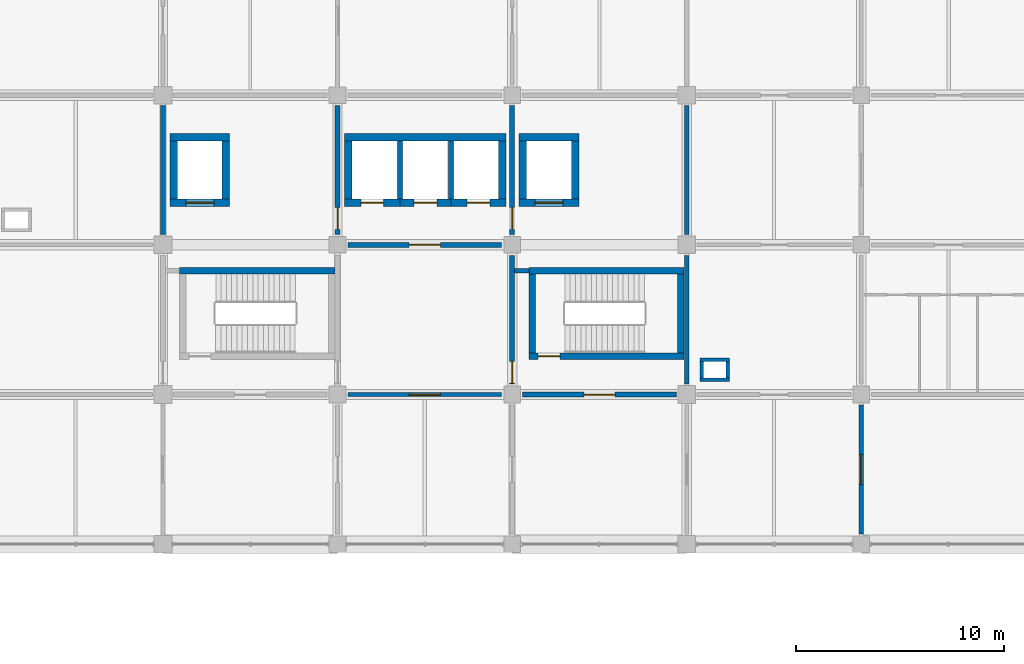
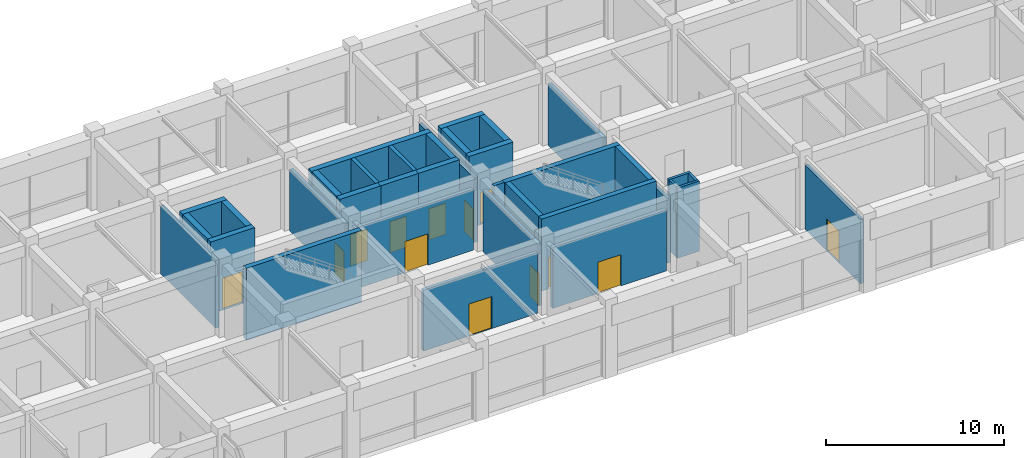
# One storey, part 27 of 38: 36 walls, 13 doors, 13 openings.
"""IFC4 building model written with IfcOpenShell, lengths in metres."""

from ifc_helpers import new_model, si_unit, derived_unit, direction, frame, frame_2d, origin, place, context, subcontext, project, spatial, rectangle, extrude, material, layer, layer_set, type_object, element, fill, save


model = new_model("IFC4")

# Units and contexts
model_context = context("Model", 3, precision=1e-05, world=origin(), true_north=direction((0.0, 1.0)))
body_context = subcontext(model_context, "Body", "Model", "MODEL_VIEW")
ifc_project = project(units=[si_unit("LENGTHUNIT", "METRE"), si_unit("AREAUNIT", "SQUARE_METRE"), si_unit("VOLUMEUNIT", "CUBIC_METRE"), si_unit("PLANEANGLEUNIT", "RADIAN"), si_unit("MASSUNIT", "GRAM", prefix="KILO"), derived_unit("THERMALTRANSMITTANCEUNIT", [(si_unit("MASSUNIT", "GRAM", prefix="KILO"), 1), (si_unit("TIMEUNIT", "SECOND"), -3), (si_unit("THERMODYNAMICTEMPERATUREUNIT", "KELVIN"), -1)])], contexts=[model_context])

# Site, building, storey
site_placement = place(None, origin())
site = spatial("IfcSite", under=ifc_project, at=site_placement, CompositionType="ELEMENT")
building_placement = place(site_placement, origin())
building = spatial("IfcBuilding", under=site, at=building_placement, Name="Veldstrom Oceanarium and Marine Research Institute", CompositionType="ELEMENT")
storey_placement = place(building_placement, frame((0.0, 0.0, 16.800048828125)))
storey = spatial("IfcBuildingStorey", under=building, at=storey_placement, Name="L03", CompositionType="ELEMENT", Elevation=16.800048828125)

# Wall
ifc_material_1 = material(Name="Masonry Fire Compartment Wall", Category="masonry")
ifc_layer_1 = layer(ifc_material_1, 0.22998046875)
ifc_layer_set_1 = layer_set([ifc_layer_1], Name="ARC-WAL-PT1")
wall_type_1 = type_object("IfcWallType", Name="ARC-WAL-PT1", PredefinedType="PARTITIONING", material=ifc_layer_set_1)
wall_1_placement = place(storey_placement, frame((75.60009765625, 58.10009765625, 0.0), z_axis=(0.0, 0.0, 1.0), x_axis=(0.0, 1.0, 0.0)))
element("IfcWall", 1, at=wall_1_placement, inside=storey, type_object=wall_type_1, Name="Interior Partition PT1 L03-1328", PredefinedType="PARTITIONING", context=body_context, shape_type="SweptSolid", body=[
    extrude(rectangle(XDim=6.199951171875, YDim=0.22998046875, at=frame_2d((3.10009765625, 0.0))), origin(), (0.0, 0.0, 1.0), 4.655029296875),
])

# Wall, opening, door
wall_2_placement = place(storey_placement, frame((84.0, 58.10009765625, 0.0), z_axis=(0.0, 0.0, 1.0), x_axis=(0.0, 1.0, 0.0)))
wall_2 = element("IfcWall", 2, at=wall_2_placement, inside=storey, type_object=wall_type_1, Name="Interior Partition PT1 L03-1335", PredefinedType="PARTITIONING", context=body_context, shape_type="SweptSolid", body=[
    extrude(rectangle(XDim=6.199951171875, YDim=0.22998046875, at=frame_2d((3.10009765625, 0.0))), origin(), (0.0, 0.0, 1.0), 4.244873046875),
])
opening_1_placement = place(wall_2_placement, frame((0.25, 0.0, 0.0)))
opening_1 = element("IfcOpeningElement", 3, at=opening_1_placement, cuts=wall_2, Name="Opening D-L03-787", PredefinedType="OPENING", context=body_context, shape_type="SweptSolid", body=[
    extrude(rectangle(XDim=1.050048828125, YDim=2.14990234375, at=frame_2d((0.52490234375, 1.074951171875))), frame((0.0, 0.125, 0.0), z_axis=(0.0, -1.0, 0.0), x_axis=(1.0, 0.0, 0.0)), (0.0, 0.0, 1.0), 0.25),
])
ifc_material_2 = material(Name="Painted Steel Fire Door", Category="steel")
door_type_1 = type_object("IfcDoorType", Name="ARC-DOR-SD1", OperationType="SINGLE_SWING_LEFT", PredefinedType="DOOR", material=ifc_material_2)
door_1_placement = place(opening_1_placement, frame((1.050048828125, 0.0, 0.0), z_axis=(0.0, 0.0, 1.0), x_axis=(-1.0, 0.0, 0.0)))
door_1 = element("IfcDoor", 4, at=door_1_placement, inside=storey, type_object=door_type_1, Name="Interior Door D-L03-787", OperationType="SINGLE_SWING_RIGHT", OverallHeight=2.14990234375, OverallWidth=1.050048828125, PredefinedType="DOOR", context=body_context, shape_type="SweptSolid", body=[
    extrude(rectangle(XDim=1.050048828125, YDim=2.14990234375, at=frame_2d((0.52490234375, 1.074951171875))), frame((0.0, 0.02490234375, 0.0), z_axis=(0.0, -1.0, 0.0), x_axis=(1.0, 0.0, 0.0)), (0.0, 0.0, 1.0), 0.050048828125),
])
fill(opening_1, door_1)

wall_3_placement = place(storey_placement, frame((92.39990234375, 50.89990234375, 0.0), z_axis=(0.0, 0.0, 1.0), x_axis=(0.0, 1.0, 0.0)))
wall_3 = element("IfcWall", 5, at=wall_3_placement, inside=storey, type_object=wall_type_1, Name="Interior Partition PT1 L03-1340", PredefinedType="PARTITIONING", context=body_context, shape_type="SweptSolid", body=[
    extrude(rectangle(XDim=6.2001953125, YDim=0.22998046875, at=frame_2d((3.10009765625, 0.0))), origin(), (0.0, 0.0, 1.0), 4.244873046875),
])
opening_2_placement = place(wall_3_placement, frame((0.050048828125, 0.0, 0.0)))
opening_2 = element("IfcOpeningElement", 6, at=opening_2_placement, cuts=wall_3, Name="Opening D-L03-791", PredefinedType="OPENING", context=body_context, shape_type="SweptSolid", body=[
    extrude(rectangle(XDim=1.050048828125, YDim=2.14990234375, at=frame_2d((0.52490234375, 1.074951171875))), frame((0.0, 0.125, 0.0), z_axis=(0.0, -1.0, 0.0), x_axis=(1.0, 0.0, 0.0)), (0.0, 0.0, 1.0), 0.25),
])
door_2_placement = place(opening_2_placement, frame((1.050048828125, 0.0, 0.0), z_axis=(0.0, 0.0, 1.0), x_axis=(-1.0, 0.0, 0.0)))
door_2 = element("IfcDoor", 7, at=door_2_placement, inside=storey, type_object=door_type_1, Name="Interior Door D-L03-791", OperationType="SINGLE_SWING_RIGHT", OverallHeight=2.14990234375, OverallWidth=1.050048828125, PredefinedType="DOOR", context=body_context, shape_type="SweptSolid", body=[
    extrude(rectangle(XDim=1.050048828125, YDim=2.14990234375, at=frame_2d((0.52490234375, 1.074951171875))), frame((0.0, 0.02490234375, 0.0), z_axis=(0.0, -1.0, 0.0), x_axis=(1.0, 0.0, 0.0)), (0.0, 0.0, 1.0), 0.050048828125),
])
fill(opening_2, door_2)

wall_4_placement = place(storey_placement, frame((84.5, 57.60009765625, 0.0), z_axis=(0.0, 0.0, 1.0), x_axis=(1.0, 0.0, 0.0)))
wall_4 = element("IfcWall", 8, at=wall_4_placement, inside=storey, type_object=wall_type_1, Name="Interior Partition PT1 L03-1341", PredefinedType="PARTITIONING", context=body_context, shape_type="SweptSolid", body=[
    extrude(rectangle(XDim=7.39990234375, YDim=0.22998046875, at=frame_2d((3.699951171875, 0.0))), origin(), (0.0, 0.0, 1.0), 4.195068359375),
])
opening_3_placement = place(wall_4_placement, frame((2.949951171875, 0.0, 0.0)))
opening_3 = element("IfcOpeningElement", 9, at=opening_3_placement, cuts=wall_4, Name="Opening D-L03-792", PredefinedType="OPENING", context=body_context, shape_type="SweptSolid", body=[
    extrude(rectangle(XDim=1.5, YDim=2.14990234375, at=frame_2d((0.75, 1.074951171875))), frame((0.0, 0.125, 0.0), z_axis=(0.0, -1.0, 0.0), x_axis=(1.0, 0.0, 0.0)), (0.0, 0.0, 1.0), 0.25),
])
ifc_material_3 = material(Name="Painted Steel Lobby Fire Door", Category="steel")
door_type_2 = type_object("IfcDoorType", Name="ARC-DOR-SD2", OperationType="DOUBLE_DOOR_SINGLE_SWING", PredefinedType="DOOR", material=ifc_material_3)
door_3_placement = place(opening_3_placement, origin())
door_3 = element("IfcDoor", 10, at=door_3_placement, inside=storey, type_object=door_type_2, Name="Interior Door D-L03-792", OperationType="DOUBLE_DOOR_SINGLE_SWING", OverallHeight=2.14990234375, OverallWidth=1.5, PredefinedType="DOOR", context=body_context, shape_type="SweptSolid", body=[
    extrude(rectangle(XDim=1.5, YDim=2.14990234375, at=frame_2d((0.75, 1.074951171875))), frame((0.0, 0.02490234375, 0.0), z_axis=(0.0, -1.0, 0.0), x_axis=(1.0, 0.0, 0.0)), (0.0, 0.0, 1.0), 0.050048828125),
])
fill(opening_3, door_3)

wall_5_placement = place(storey_placement, frame((92.39990234375, 58.10009765625, 0.0), z_axis=(0.0, 0.0, 1.0), x_axis=(0.0, 1.0, 0.0)))
wall_5 = element("IfcWall", 11, at=wall_5_placement, inside=storey, type_object=wall_type_1, Name="Interior Partition PT1 L03-1342", PredefinedType="PARTITIONING", context=body_context, shape_type="SweptSolid", body=[
    extrude(rectangle(XDim=6.199951171875, YDim=0.22998046875, at=frame_2d((3.10009765625, 0.0))), origin(), (0.0, 0.0, 1.0), 4.445068359375),
])
opening_4_placement = place(wall_5_placement, frame((0.25, 0.0, 0.0)))
opening_4 = element("IfcOpeningElement", 12, at=opening_4_placement, cuts=wall_5, Name="Opening D-L03-793", PredefinedType="OPENING", context=body_context, shape_type="SweptSolid", body=[
    extrude(rectangle(XDim=1.050048828125, YDim=2.14990234375, at=frame_2d((0.52490234375, 1.074951171875))), frame((0.0, 0.125, 0.0), z_axis=(0.0, -1.0, 0.0), x_axis=(1.0, 0.0, 0.0)), (0.0, 0.0, 1.0), 0.25),
])
door_4_placement = place(opening_4_placement, origin())
door_4 = element("IfcDoor", 13, at=door_4_placement, inside=storey, type_object=door_type_1, Name="Interior Door D-L03-793", OperationType="SINGLE_SWING_LEFT", OverallHeight=2.14990234375, OverallWidth=1.050048828125, PredefinedType="DOOR", context=body_context, shape_type="SweptSolid", body=[
    extrude(rectangle(XDim=1.050048828125, YDim=2.14990234375, at=frame_2d((0.52490234375, 1.074951171875))), frame((0.0, 0.02490234375, 0.0), z_axis=(0.0, -1.0, 0.0), x_axis=(1.0, 0.0, 0.0)), (0.0, 0.0, 1.0), 0.050048828125),
])
fill(opening_4, door_4)

wall_6_placement = place(storey_placement, frame((92.89990234375, 50.39990234375, 0.0), z_axis=(0.0, 0.0, 1.0), x_axis=(1.0, 0.0, 0.0)))
wall_6 = element("IfcWall", 14, at=wall_6_placement, inside=storey, type_object=wall_type_1, Name="Interior Partition PT1 L03-1346", PredefinedType="PARTITIONING", context=body_context, shape_type="SweptSolid", body=[
    extrude(rectangle(XDim=7.400146484375, YDim=0.22998046875, at=frame_2d((3.7001953125, 0.0))), origin(), (0.0, 0.0, 1.0), 4.195068359375),
])
opening_5_placement = place(wall_6_placement, frame((2.949951171875, 0.0, 0.0)))
opening_5 = element("IfcOpeningElement", 15, at=opening_5_placement, cuts=wall_6, Name="Opening D-L03-796", PredefinedType="OPENING", context=body_context, shape_type="SweptSolid", body=[
    extrude(rectangle(XDim=1.5, YDim=2.14990234375, at=frame_2d((0.75, 1.074951171875))), frame((0.0, 0.125, 0.0), z_axis=(0.0, -1.0, 0.0), x_axis=(1.0, 0.0, 0.0)), (0.0, 0.0, 1.0), 0.25),
])
door_5_placement = place(opening_5_placement, frame((1.5, 0.0, 0.0), z_axis=(0.0, 0.0, 1.0), x_axis=(-1.0, 0.0, 0.0)))
door_5 = element("IfcDoor", 16, at=door_5_placement, inside=storey, type_object=door_type_2, Name="Interior Door D-L03-796", OperationType="DOUBLE_DOOR_SINGLE_SWING", OverallHeight=2.14990234375, OverallWidth=1.5, PredefinedType="DOOR", context=body_context, shape_type="SweptSolid", body=[
    extrude(rectangle(XDim=1.5, YDim=2.14990234375, at=frame_2d((0.75, 1.074951171875))), frame((0.0, 0.02490234375, 0.0), z_axis=(0.0, -1.0, 0.0), x_axis=(1.0, 0.0, 0.0)), (0.0, 0.0, 1.0), 0.050048828125),
])
fill(opening_5, door_5)

# Walls
wall_7_placement = place(storey_placement, frame((100.800048828125, 50.89990234375, 0.0), z_axis=(0.0, 0.0, 1.0), x_axis=(0.0, 1.0, 0.0)))
element("IfcWall", 17, at=wall_7_placement, inside=storey, type_object=wall_type_1, Name="Interior Partition PT1 L03-1347", PredefinedType="PARTITIONING", context=body_context, shape_type="SweptSolid", body=[
    extrude(rectangle(XDim=6.2001953125, YDim=0.22998046875, at=frame_2d((3.10009765625, 0.0))), origin(), (0.0, 0.0, 1.0), 4.445068359375),
])
wall_8_placement = place(storey_placement, frame((92.52001953125, 56.360107421875, 0.0), z_axis=(0.0, 0.0, 1.0), x_axis=(1.0, 0.0, 0.0)))
element("IfcWall", 18, at=wall_8_placement, inside=storey, type_object=wall_type_1, Name="Interior Partition PT1 L03-1348", PredefinedType="PARTITIONING", context=body_context, shape_type="SweptSolid", body=[
    extrude(rectangle(XDim=0.679931640625, YDim=0.22998046875, at=frame_2d((0.33984375, 0.0))), origin(), (0.0, 0.0, 1.0), 4.949951171875),
])
wall_9_placement = place(storey_placement, frame((100.800048828125, 58.10009765625, 0.0), z_axis=(0.0, 0.0, 1.0), x_axis=(0.0, 1.0, 0.0)))
element("IfcWall", 19, at=wall_9_placement, inside=storey, type_object=wall_type_1, Name="Interior Partition PT1 L03-1349", PredefinedType="PARTITIONING", context=body_context, shape_type="SweptSolid", body=[
    extrude(rectangle(XDim=6.199951171875, YDim=0.22998046875, at=frame_2d((3.10009765625, 0.0))), origin(), (0.0, 0.0, 1.0), 4.244873046875),
])

# Wall, opening, door
ifc_material_4 = material(Name="Masonry Acoustic Lab Partition", Category="masonry")
ifc_layer_2 = layer(ifc_material_4, 0.205078125)
ifc_layer_set_2 = layer_set([ifc_layer_2], Name="ARC-WAL-PT2")
wall_type_2 = type_object("IfcWallType", Name="ARC-WAL-PT2", PredefinedType="PARTITIONING", material=ifc_layer_set_2)
wall_10_placement = place(storey_placement, frame((84.5, 50.39990234375, 0.0), z_axis=(0.0, 0.0, 1.0), x_axis=(1.0, 0.0, 0.0)))
wall_10 = element("IfcWall", 20, at=wall_10_placement, inside=storey, type_object=wall_type_2, Name="Interior Partition PT2 L03-1339", PredefinedType="PARTITIONING", context=body_context, shape_type="SweptSolid", body=[
    extrude(rectangle(XDim=7.39990234375, YDim=0.205078125, at=frame_2d((3.699951171875, 0.0))), origin(), (0.0, 0.0, 1.0), 4.195068359375),
])
opening_6_placement = place(wall_10_placement, frame((2.949951171875, 0.0, 0.0)))
opening_6 = element("IfcOpeningElement", 21, at=opening_6_placement, cuts=wall_10, Name="Opening D-L03-790", PredefinedType="OPENING", context=body_context, shape_type="SweptSolid", body=[
    extrude(rectangle(XDim=1.5, YDim=2.199951171875, at=frame_2d((0.75, 1.10009765625))), frame((0.0, 0.112548828125, 0.0), z_axis=(0.0, -1.0, 0.0), x_axis=(1.0, 0.0, 0.0)), (0.0, 0.0, 1.0), 0.22509765625),
])
ifc_material_5 = material(Name="Laboratory Double Leaf Door", Category="timber")
door_type_3 = type_object("IfcDoorType", Name="ARC-DOR-ID03", OperationType="DOUBLE_DOOR_SINGLE_SWING", PredefinedType="DOOR", material=ifc_material_5)
door_6_placement = place(opening_6_placement, frame((1.5, 0.0, 0.0), z_axis=(0.0, 0.0, 1.0), x_axis=(-1.0, 0.0, 0.0)))
door_6 = element("IfcDoor", 22, at=door_6_placement, inside=storey, type_object=door_type_3, Name="Interior Door D-L03-790", OperationType="DOUBLE_DOOR_SINGLE_SWING", OverallHeight=2.199951171875, OverallWidth=1.5, PredefinedType="DOOR", context=body_context, shape_type="SweptSolid", body=[
    extrude(rectangle(XDim=1.5, YDim=2.199951171875, at=frame_2d((0.75, 1.10009765625))), frame((0.0, 0.02490234375, 0.0), z_axis=(0.0, -1.0, 0.0), x_axis=(1.0, 0.0, 0.0)), (0.0, 0.0, 1.0), 0.050048828125),
])
fill(opening_6, door_6)

wall_11_placement = place(storey_placement, frame((109.199951171875, 43.699951171875, 0.0), z_axis=(0.0, 0.0, 1.0), x_axis=(0.0, 1.0, 0.0)))
wall_11 = element("IfcWall", 23, at=wall_11_placement, inside=storey, type_object=wall_type_2, Name="Interior Partition PT2 L03-1352", PredefinedType="PARTITIONING", context=body_context, shape_type="SweptSolid", body=[
    extrude(rectangle(XDim=6.199951171875, YDim=0.205078125, at=frame_2d((3.10009765625, 0.0))), origin(), (0.0, 0.0, 1.0), 4.445068359375),
])
opening_7_placement = place(wall_11_placement, frame((2.375, 0.0, 0.0)))
opening_7 = element("IfcOpeningElement", 24, at=opening_7_placement, cuts=wall_11, Name="Opening D-L03-797", PredefinedType="OPENING", context=body_context, shape_type="SweptSolid", body=[
    extrude(rectangle(XDim=1.449951171875, YDim=2.199951171875, at=frame_2d((0.72509765625, 1.10009765625))), frame((0.0, 0.112548828125, 0.0), z_axis=(0.0, -1.0, 0.0), x_axis=(1.0, 0.0, 0.0)), (0.0, 0.0, 1.0), 0.22509765625),
])
ifc_material_6 = material(Name="Curatorial Archive Door", Category="timber")
door_type_4 = type_object("IfcDoorType", Name="ARC-DOR-ID14", OperationType="DOUBLE_DOOR_SINGLE_SWING", PredefinedType="DOOR", material=ifc_material_6)
door_7_placement = place(opening_7_placement, origin())
door_7 = element("IfcDoor", 25, at=door_7_placement, inside=storey, type_object=door_type_4, Name="Interior Door D-L03-797", OperationType="DOUBLE_DOOR_SINGLE_SWING", OverallHeight=2.199951171875, OverallWidth=1.449951171875, PredefinedType="DOOR", context=body_context, shape_type="SweptSolid", body=[
    extrude(rectangle(XDim=1.449951171875, YDim=2.199951171875, at=frame_2d((0.72509765625, 1.10009765625))), frame((0.0, 0.02490234375, 0.0), z_axis=(0.0, -1.0, 0.0), x_axis=(1.0, 0.0, 0.0)), (0.0, 0.0, 1.0), 0.050048828125),
])
fill(opening_7, door_7)

# Walls
ifc_material_7 = material(Name="Service Riser Fire Shaft Wall", Category="masonry")
ifc_layer_3 = layer(ifc_material_7, 0.1650390625)
ifc_layer_set_3 = layer_set([ifc_layer_3], Name="ARC-WAL-PT9")
wall_type_3 = type_object("IfcWallType", Name="ARC-WAL-PT9", PredefinedType="PARTITIONING", material=ifc_layer_set_3)
for number, where, z_axis, x_axis, name in (
    (26, (101.43505859375, 51.117431640625, 0.0), (0.0, 0.0, 1.0), (1.0, 0.0, 0.0), "Service Riser Fire Shaft Wall L03-CE-S"),
    (27, (101.43505859375, 52.08251953125, 0.0), (0.0, 0.0, 1.0), (1.0, 0.0, 0.0), "Service Riser Fire Shaft Wall L03-CE-N"),
):
    element("IfcWall", number, at=place(storey_placement, frame(where, z_axis=z_axis, x_axis=x_axis)), inside=storey, type_object=wall_type_3, Name=name, PredefinedType="PARTITIONING", context=body_context, shape_type="SweptSolid", body=[
        extrude(rectangle(XDim=1.429931640625, YDim=0.1650390625, at=frame_2d((0.71484375, 0.0))), origin(), (0.0, 0.0, 1.0), 4.824951171875),
    ])
for number, where, z_axis, x_axis, name in (
    (28, (101.517578125, 51.199951171875, 0.0), (0.0, 0.0, 1.0), (0.0, 1.0, 0.0), "Service Riser Fire Shaft Wall L03-CE-W"),
    (29, (102.782470703125, 51.199951171875, 0.0), (0.0, 0.0, 1.0), (0.0, 1.0, 0.0), "Service Riser Fire Shaft Wall L03-CE-E"),
):
    element("IfcWall", number, at=place(storey_placement, frame(where, z_axis=z_axis, x_axis=x_axis)), inside=storey, type_object=wall_type_3, Name=name, PredefinedType="PARTITIONING", context=body_context, shape_type="SweptSolid", body=[
        extrude(rectangle(XDim=0.800048828125, YDim=0.1650390625, at=frame_2d((0.39990234375, 0.0))), origin(), (0.0, 0.0, 1.0), 4.824951171875),
    ])
ifc_material_8 = material(Name="Concrete C40/50", Category="concrete")
ifc_layer_4 = layer(ifc_material_8, 0.360107421875)
ifc_layer_set_4 = layer_set([ifc_layer_4], Name="STR-WAL-WC2")
wall_type_4 = type_object("IfcWallType", Name="STR-WAL-WC2", PredefinedType="SHEAR", material=ifc_layer_set_4)
wall_12_placement = place(storey_placement, frame((75.93994140625, 62.780029296875, 0.0), z_axis=(0.0, 0.0, 1.0), x_axis=(1.0, 0.0, 0.0)))
element("IfcWall", 30, at=wall_12_placement, inside=storey, type_object=wall_type_4, Name="Lift Shaft Shear Wall N L03 9/8", PredefinedType="SHEAR", context=body_context, shape_type="SweptSolid", body=[
    extrude(rectangle(XDim=2.8701171875, YDim=0.360107421875, at=frame_2d((1.43505859375, 0.0))), origin(), (0.0, 0.0, 1.0), 4.949951171875),
])

# Wall, opening, door
wall_13_placement = place(storey_placement, frame((75.93994140625, 59.6201171875, 0.0), z_axis=(0.0, 0.0, 1.0), x_axis=(1.0, 0.0, 0.0)))
wall_13 = element("IfcWall", 31, at=wall_13_placement, inside=storey, type_object=wall_type_4, Name="Lift Shaft Front Shear Wall LF1 L03", PredefinedType="SHEAR", context=body_context, shape_type="SweptSolid", body=[
    extrude(rectangle(XDim=2.8701171875, YDim=0.360107421875, at=frame_2d((1.43505859375, 0.0))), origin(), (0.0, 0.0, 1.0), 4.949951171875),
])
opening_8_placement = place(wall_13_placement, frame((0.760009765625, 0.0, 0.0)))
opening_8 = element("IfcOpeningElement", 32, at=opening_8_placement, cuts=wall_13, Name="Opening LD-LF1-L03", PredefinedType="OPENING", context=body_context, shape_type="SweptSolid", body=[
    extrude(rectangle(XDim=1.35009765625, YDim=2.199951171875, at=frame_2d((0.675048828125, 1.10009765625))), frame((0.0, 0.18994140625, 0.0), z_axis=(0.0, -1.0, 0.0), x_axis=(1.0, 0.0, 0.0)), (0.0, 0.0, 1.0), 0.380126953125),
])
ifc_material_9 = material(Name="Stainless Steel Lift Landing Door", Category="steel")
door_type_5 = type_object("IfcDoorType", Name="ARC-DOR-LD3", OperationType="DOUBLE_DOOR_SLIDING", PredefinedType="DOOR", material=ifc_material_9)
door_8_placement = place(opening_8_placement, origin())
door_8 = element("IfcDoor", 33, at=door_8_placement, inside=storey, type_object=door_type_5, Name="Lift Landing Door LD-LF1-L03", OperationType="DOUBLE_DOOR_SLIDING", OverallHeight=2.199951171875, OverallWidth=1.35009765625, PredefinedType="DOOR", context=body_context, shape_type="SweptSolid", body=[
    extrude(rectangle(XDim=1.35009765625, YDim=2.199951171875, at=frame_2d((0.675048828125, 1.10009765625))), frame((0.0, 0.02490234375, 0.0), z_axis=(0.0, -1.0, 0.0), x_axis=(1.0, 0.0, 0.0)), (0.0, 0.0, 1.0), 0.050048828125),
])
fill(opening_8, door_8)

# Walls
for number, where, z_axis, x_axis, name in (
    (34, (76.1201171875, 59.800048828125, 0.0), (0.0, 0.0, 1.0), (0.0, 1.0, 0.0), "Lift Shaft Shear Wall W L03 9/8"),
    (35, (78.6298828125, 59.800048828125, 0.0), (0.0, 0.0, 1.0), (0.0, 1.0, 0.0), "Lift Shaft Shear Wall E L03 9/8"),
):
    element("IfcWall", number, at=place(storey_placement, frame(where, z_axis=z_axis, x_axis=x_axis)), inside=storey, type_object=wall_type_4, Name=name, PredefinedType="SHEAR", context=body_context, shape_type="SweptSolid", body=[
        extrude(rectangle(XDim=2.800048828125, YDim=0.360107421875, at=frame_2d((1.39990234375, 0.0))), origin(), (0.0, 0.0, 1.0), 4.949951171875),
    ])
wall_14_placement = place(storey_placement, frame((84.340087890625, 62.780029296875, 0.0), z_axis=(0.0, 0.0, 1.0), x_axis=(1.0, 0.0, 0.0)))
element("IfcWall", 36, at=wall_14_placement, inside=storey, type_object=wall_type_4, Name="Lift Shaft Shear Wall N L03 10/8", PredefinedType="SHEAR", context=body_context, shape_type="SweptSolid", body=[
    extrude(rectangle(XDim=7.77001953125, YDim=0.360107421875, at=frame_2d((3.885009765625, 0.0))), origin(), (0.0, 0.0, 1.0), 4.949951171875),
])

# Wall, opening, door
wall_15_placement = place(storey_placement, frame((84.340087890625, 59.6201171875, 0.0), z_axis=(0.0, 0.0, 1.0), x_axis=(1.0, 0.0, 0.0)))
wall_15 = element("IfcWall", 37, at=wall_15_placement, inside=storey, type_object=wall_type_4, Name="Lift Shaft Front Shear Wall LP1 L03", PredefinedType="SHEAR", context=body_context, shape_type="SweptSolid", body=[
    extrude(rectangle(XDim=2.659912109375, YDim=0.360107421875, at=frame_2d((1.330078125, 0.0))), origin(), (0.0, 0.0, 1.0), 4.949951171875),
])
opening_9_placement = place(wall_15_placement, frame((0.780029296875, 0.0, 0.0)))
opening_9 = element("IfcOpeningElement", 38, at=opening_9_placement, cuts=wall_15, Name="Opening LD-LP1-L03", PredefinedType="OPENING", context=body_context, shape_type="SweptSolid", body=[
    extrude(rectangle(XDim=1.10009765625, YDim=2.14990234375, at=frame_2d((0.550048828125, 1.074951171875))), frame((0.0, 0.18994140625, 0.0), z_axis=(0.0, -1.0, 0.0), x_axis=(1.0, 0.0, 0.0)), (0.0, 0.0, 1.0), 0.380126953125),
])
ifc_material_10 = material(Name="Stainless Steel Lift Landing Door", Category="steel")
door_type_6 = type_object("IfcDoorType", Name="ARC-DOR-LD1", OperationType="DOUBLE_DOOR_SLIDING", PredefinedType="DOOR", material=ifc_material_10)
door_9_placement = place(opening_9_placement, origin())
door_9 = element("IfcDoor", 39, at=door_9_placement, inside=storey, type_object=door_type_6, Name="Lift Landing Door LD-LP1-L03", OperationType="DOUBLE_DOOR_SLIDING", OverallHeight=2.14990234375, OverallWidth=1.10009765625, PredefinedType="DOOR", context=body_context, shape_type="SweptSolid", body=[
    extrude(rectangle(XDim=1.10009765625, YDim=2.14990234375, at=frame_2d((0.550048828125, 1.074951171875))), frame((0.0, 0.02490234375, 0.0), z_axis=(0.0, -1.0, 0.0), x_axis=(1.0, 0.0, 0.0)), (0.0, 0.0, 1.0), 0.050048828125),
])
fill(opening_9, door_9)

wall_16_placement = place(storey_placement, frame((87.0, 59.6201171875, 0.0), z_axis=(0.0, 0.0, 1.0), x_axis=(1.0, 0.0, 0.0)))
wall_16 = element("IfcWall", 40, at=wall_16_placement, inside=storey, type_object=wall_type_4, Name="Lift Shaft Front Shear Wall LP2 L03", PredefinedType="SHEAR", context=body_context, shape_type="SweptSolid", body=[
    extrude(rectangle(XDim=2.449951171875, YDim=0.360107421875, at=frame_2d((1.22509765625, 0.0))), origin(), (0.0, 0.0, 1.0), 4.949951171875),
])
opening_10_placement = place(wall_16_placement, frame((0.675048828125, 0.0, 0.0)))
opening_10 = element("IfcOpeningElement", 41, at=opening_10_placement, cuts=wall_16, Name="Opening LD-LP2-L03", PredefinedType="OPENING", context=body_context, shape_type="SweptSolid", body=[
    extrude(rectangle(XDim=1.10009765625, YDim=2.14990234375, at=frame_2d((0.550048828125, 1.074951171875))), frame((0.0, 0.18994140625, 0.0), z_axis=(0.0, -1.0, 0.0), x_axis=(1.0, 0.0, 0.0)), (0.0, 0.0, 1.0), 0.380126953125),
])
door_10_placement = place(opening_10_placement, origin())
door_10 = element("IfcDoor", 42, at=door_10_placement, inside=storey, type_object=door_type_6, Name="Lift Landing Door LD-LP2-L03", OperationType="DOUBLE_DOOR_SLIDING", OverallHeight=2.14990234375, OverallWidth=1.10009765625, PredefinedType="DOOR", context=body_context, shape_type="SweptSolid", body=[
    extrude(rectangle(XDim=1.10009765625, YDim=2.14990234375, at=frame_2d((0.550048828125, 1.074951171875))), frame((0.0, 0.02490234375, 0.0), z_axis=(0.0, -1.0, 0.0), x_axis=(1.0, 0.0, 0.0)), (0.0, 0.0, 1.0), 0.050048828125),
])
fill(opening_10, door_10)

wall_17_placement = place(storey_placement, frame((89.449951171875, 59.6201171875, 0.0), z_axis=(0.0, 0.0, 1.0), x_axis=(1.0, 0.0, 0.0)))
wall_17 = element("IfcWall", 43, at=wall_17_placement, inside=storey, type_object=wall_type_4, Name="Lift Shaft Front Shear Wall LP3 L03", PredefinedType="SHEAR", context=body_context, shape_type="SweptSolid", body=[
    extrude(rectangle(XDim=2.66015625, YDim=0.360107421875, at=frame_2d((1.330078125, 0.0))), origin(), (0.0, 0.0, 1.0), 4.949951171875),
])
opening_11_placement = place(wall_17_placement, frame((0.780029296875, 0.0, 0.0)))
opening_11 = element("IfcOpeningElement", 44, at=opening_11_placement, cuts=wall_17, Name="Opening LD-LP3-L03", PredefinedType="OPENING", context=body_context, shape_type="SweptSolid", body=[
    extrude(rectangle(XDim=1.10009765625, YDim=2.14990234375, at=frame_2d((0.550048828125, 1.074951171875))), frame((0.0, 0.18994140625, 0.0), z_axis=(0.0, -1.0, 0.0), x_axis=(1.0, 0.0, 0.0)), (0.0, 0.0, 1.0), 0.380126953125),
])
door_11_placement = place(opening_11_placement, origin())
door_11 = element("IfcDoor", 45, at=door_11_placement, inside=storey, type_object=door_type_6, Name="Lift Landing Door LD-LP3-L03", OperationType="DOUBLE_DOOR_SLIDING", OverallHeight=2.14990234375, OverallWidth=1.10009765625, PredefinedType="DOOR", context=body_context, shape_type="SweptSolid", body=[
    extrude(rectangle(XDim=1.10009765625, YDim=2.14990234375, at=frame_2d((0.550048828125, 1.074951171875))), frame((0.0, 0.02490234375, 0.0), z_axis=(0.0, -1.0, 0.0), x_axis=(1.0, 0.0, 0.0)), (0.0, 0.0, 1.0), 0.050048828125),
])
fill(opening_11, door_11)

# Walls
for number, where, z_axis, x_axis, name in (
    (46, (84.52001953125, 59.800048828125, 0.0), (0.0, 0.0, 1.0), (0.0, 1.0, 0.0), "Lift Shaft Shear Wall W L03 10/8"),
    (47, (91.929931640625, 59.800048828125, 0.0), (0.0, 0.0, 1.0), (0.0, 1.0, 0.0), "Lift Shaft Shear Wall E L03 10/8"),
):
    element("IfcWall", number, at=place(storey_placement, frame(where, z_axis=z_axis, x_axis=x_axis)), inside=storey, type_object=wall_type_4, Name=name, PredefinedType="SHEAR", context=body_context, shape_type="SweptSolid", body=[
        extrude(rectangle(XDim=2.800048828125, YDim=0.360107421875, at=frame_2d((1.39990234375, 0.0))), origin(), (0.0, 0.0, 1.0), 4.949951171875),
    ])
wall_18_placement = place(storey_placement, frame((92.739990234375, 62.780029296875, 0.0), z_axis=(0.0, 0.0, 1.0), x_axis=(1.0, 0.0, 0.0)))
element("IfcWall", 48, at=wall_18_placement, inside=storey, type_object=wall_type_4, Name="Lift Shaft Shear Wall N L03 11/8", PredefinedType="SHEAR", context=body_context, shape_type="SweptSolid", body=[
    extrude(rectangle(XDim=2.8701171875, YDim=0.360107421875, at=frame_2d((1.43505859375, 0.0))), origin(), (0.0, 0.0, 1.0), 4.949951171875),
])

# Wall, opening, door
wall_19_placement = place(storey_placement, frame((92.739990234375, 59.6201171875, 0.0), z_axis=(0.0, 0.0, 1.0), x_axis=(1.0, 0.0, 0.0)))
wall_19 = element("IfcWall", 49, at=wall_19_placement, inside=storey, type_object=wall_type_4, Name="Lift Shaft Front Shear Wall LF2 L03", PredefinedType="SHEAR", context=body_context, shape_type="SweptSolid", body=[
    extrude(rectangle(XDim=2.8701171875, YDim=0.360107421875, at=frame_2d((1.43505859375, 0.0))), origin(), (0.0, 0.0, 1.0), 4.949951171875),
])
opening_12_placement = place(wall_19_placement, frame((0.760009765625, 0.0, 0.0)))
opening_12 = element("IfcOpeningElement", 50, at=opening_12_placement, cuts=wall_19, Name="Opening LD-LF2-L03", PredefinedType="OPENING", context=body_context, shape_type="SweptSolid", body=[
    extrude(rectangle(XDim=1.35009765625, YDim=2.199951171875, at=frame_2d((0.675048828125, 1.10009765625))), frame((0.0, 0.18994140625, 0.0), z_axis=(0.0, -1.0, 0.0), x_axis=(1.0, 0.0, 0.0)), (0.0, 0.0, 1.0), 0.380126953125),
])
door_12_placement = place(opening_12_placement, origin())
door_12 = element("IfcDoor", 51, at=door_12_placement, inside=storey, type_object=door_type_5, Name="Lift Landing Door LD-LF2-L03", OperationType="DOUBLE_DOOR_SLIDING", OverallHeight=2.199951171875, OverallWidth=1.35009765625, PredefinedType="DOOR", context=body_context, shape_type="SweptSolid", body=[
    extrude(rectangle(XDim=1.35009765625, YDim=2.199951171875, at=frame_2d((0.675048828125, 1.10009765625))), frame((0.0, 0.02490234375, 0.0), z_axis=(0.0, -1.0, 0.0), x_axis=(1.0, 0.0, 0.0)), (0.0, 0.0, 1.0), 0.050048828125),
])
fill(opening_12, door_12)

# Walls
for number, where, z_axis, x_axis, name in (
    (52, (92.919921875, 59.800048828125, 0.0), (0.0, 0.0, 1.0), (0.0, 1.0, 0.0), "Lift Shaft Shear Wall W L03 11/8"),
    (53, (95.429931640625, 59.800048828125, 0.0), (0.0, 0.0, 1.0), (0.0, 1.0, 0.0), "Lift Shaft Shear Wall E L03 11/8"),
):
    element("IfcWall", number, at=place(storey_placement, frame(where, z_axis=z_axis, x_axis=x_axis)), inside=storey, type_object=wall_type_4, Name=name, PredefinedType="SHEAR", context=body_context, shape_type="SweptSolid", body=[
        extrude(rectangle(XDim=2.800048828125, YDim=0.360107421875, at=frame_2d((1.39990234375, 0.0))), origin(), (0.0, 0.0, 1.0), 4.949951171875),
    ])
ifc_material_11 = material(Name="Concrete C40/50", Category="concrete")
ifc_layer_5 = layer(ifc_material_11, 0.320068359375)
ifc_layer_set_5 = layer_set([ifc_layer_5], Name="STR-WAL-WC3")
wall_type_5 = type_object("IfcWallType", Name="STR-WAL-WC3", PredefinedType="SHEAR", material=ifc_layer_set_5)
wall_20_placement = place(storey_placement, frame((76.39990234375, 56.360107421875, 0.0), z_axis=(0.0, 0.0, 1.0), x_axis=(1.0, 0.0, 0.0)))
element("IfcWall", 54, at=wall_20_placement, inside=storey, type_object=wall_type_5, Name="Stair Core Shear Wall SC1-L03-N", PredefinedType="SHEAR", context=body_context, shape_type="SweptSolid", body=[
    extrude(rectangle(XDim=7.47998046875, YDim=0.320068359375, at=frame_2d((3.739990234375, 0.0))), origin(), (0.0, 0.0, 1.0), 4.949951171875),
])

# Wall, opening, door
wall_21_placement = place(storey_placement, frame((93.199951171875, 52.239990234375, 0.0), z_axis=(0.0, 0.0, 1.0), x_axis=(1.0, 0.0, 0.0)))
wall_21 = element("IfcWall", 55, at=wall_21_placement, inside=storey, type_object=wall_type_5, Name="Stair Core Shear Wall SC2-L03-S", PredefinedType="SHEAR", context=body_context, shape_type="SweptSolid", body=[
    extrude(rectangle(XDim=7.47998046875, YDim=0.320068359375, at=frame_2d((3.739990234375, 0.0))), origin(), (0.0, 0.0, 1.0), 4.949951171875),
])
opening_13_placement = place(wall_21_placement, frame((0.449951171875, 0.0, 0.0)))
opening_13 = element("IfcOpeningElement", 56, at=opening_13_placement, cuts=wall_21, Name="Opening D-ST2-L03", PredefinedType="OPENING", context=body_context, shape_type="SweptSolid", body=[
    extrude(rectangle(XDim=1.050048828125, YDim=2.14990234375, at=frame_2d((0.52490234375, 1.074951171875))), frame((0.0, 0.169921875, 0.0), z_axis=(0.0, -1.0, 0.0), x_axis=(1.0, 0.0, 0.0)), (0.0, 0.0, 1.0), 0.340087890625),
])
door_13_placement = place(opening_13_placement, origin())
door_13 = element("IfcDoor", 57, at=door_13_placement, inside=storey, type_object=door_type_1, Name="Escape Stair Fire Door D-ST2-L03", OperationType="SINGLE_SWING_LEFT", OverallHeight=2.14990234375, OverallWidth=1.050048828125, PredefinedType="DOOR", context=body_context, shape_type="SweptSolid", body=[
    extrude(rectangle(XDim=1.050048828125, YDim=2.14990234375, at=frame_2d((0.52490234375, 1.074951171875))), frame((0.0, 0.02490234375, 0.0), z_axis=(0.0, -1.0, 0.0), x_axis=(1.0, 0.0, 0.0)), (0.0, 0.0, 1.0), 0.050048828125),
])
fill(opening_13, door_13)

# Walls
wall_22_placement = place(storey_placement, frame((93.199951171875, 56.360107421875, 0.0), z_axis=(0.0, 0.0, 1.0), x_axis=(1.0, 0.0, 0.0)))
element("IfcWall", 58, at=wall_22_placement, inside=storey, type_object=wall_type_5, Name="Stair Core Shear Wall SC2-L03-N", PredefinedType="SHEAR", context=body_context, shape_type="SweptSolid", body=[
    extrude(rectangle(XDim=7.47998046875, YDim=0.320068359375, at=frame_2d((3.739990234375, 0.0))), origin(), (0.0, 0.0, 1.0), 4.949951171875),
])
for number, where, z_axis, x_axis, name in (
    (59, (93.360107421875, 52.39990234375, 0.0), (0.0, 0.0, 1.0), (0.0, 1.0, 0.0), "Stair Core Shear Wall SC2-L03-W"),
    (60, (100.52001953125, 52.39990234375, 0.0), (0.0, 0.0, 1.0), (0.0, 1.0, 0.0), "Stair Core Shear Wall SC2-L03-E"),
):
    element("IfcWall", number, at=place(storey_placement, frame(where, z_axis=z_axis, x_axis=x_axis)), inside=storey, type_object=wall_type_5, Name=name, PredefinedType="SHEAR", context=body_context, shape_type="SweptSolid", body=[
        extrude(rectangle(XDim=3.800048828125, YDim=0.320068359375, at=frame_2d((1.89990234375, 0.0))), origin(), (0.0, 0.0, 1.0), 4.949951171875),
    ])
ifc_material_12 = material(Name="Concrete C40/50", Category="concrete")
ifc_layer_6 = layer(ifc_material_12, 0.239990234375)
ifc_layer_set_6 = layer_set([ifc_layer_6], Name="STR-WAL-WC4")
wall_type_6 = type_object("IfcWallType", Name="STR-WAL-WC4", PredefinedType="SHEAR", material=ifc_layer_set_6)
for number, where, z_axis, x_axis, name in (
    (61, (87.0, 59.800048828125, 0.0), (0.0, 0.0, 1.0), (0.0, 1.0, 0.0), "Lift Shaft Divider Wall L03 10/8-1"),
    (62, (89.449951171875, 59.800048828125, 0.0), (0.0, 0.0, 1.0), (0.0, 1.0, 0.0), "Lift Shaft Divider Wall L03 10/8-2"),
):
    element("IfcWall", number, at=place(storey_placement, frame(where, z_axis=z_axis, x_axis=x_axis)), inside=storey, type_object=wall_type_6, Name=name, PredefinedType="SHEAR", context=body_context, shape_type="SweptSolid", body=[
        extrude(rectangle(XDim=2.800048828125, YDim=0.239990234375, at=frame_2d((1.39990234375, 0.0))), origin(), (0.0, 0.0, 1.0), 4.949951171875),
    ])

save(model, "model.ifc")
